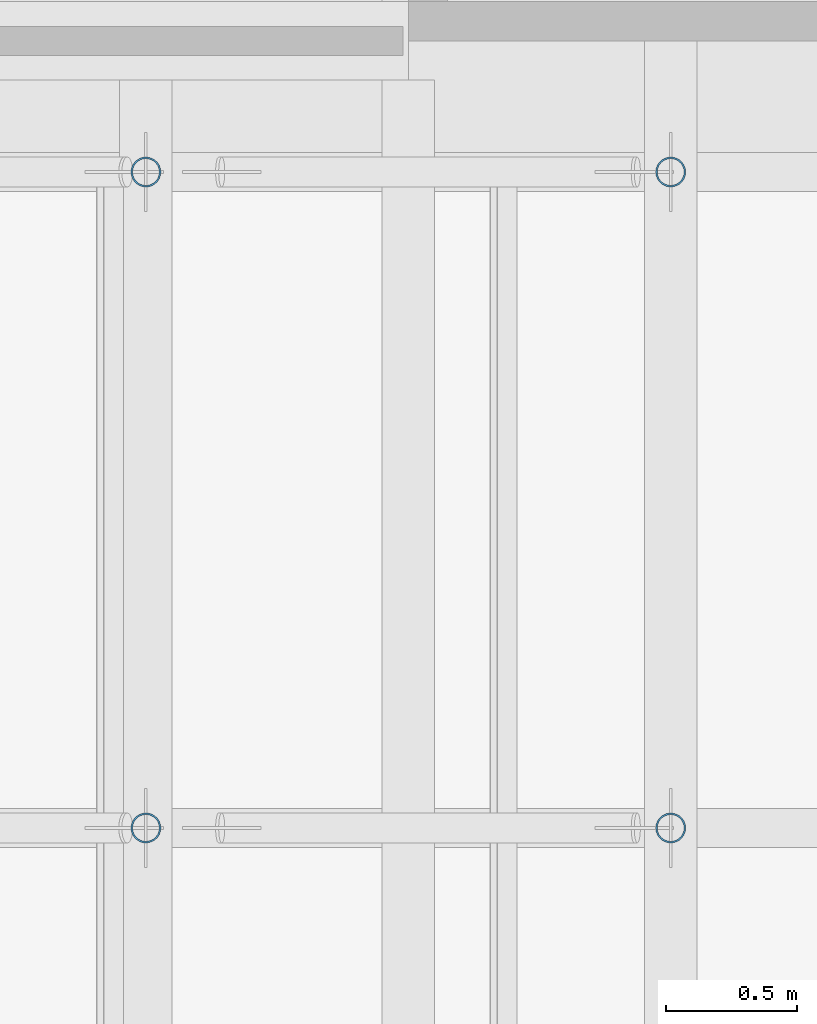
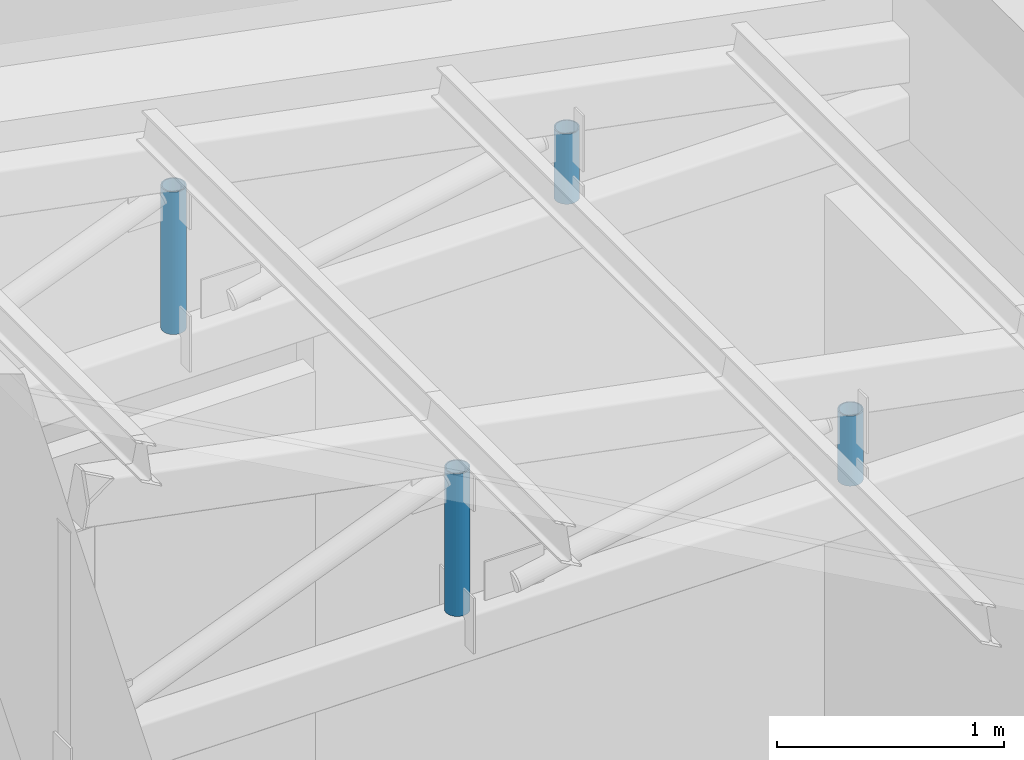
# One storey, part 57 of 118: 4 members.
"""IFC4 building model written with IfcOpenShell, lengths in metres."""

import ifcopenshell
import ifcopenshell.guid

model = None  # the IFC model being written
_history = None  # IfcOwnerHistory: only IFC2X3 demands one
_inside = {}  # id of a spatial element -> (the spatial element, [elements in it])
_under = {}  # id of a project, library or spatial element -> (it, [spatial elements below it])
_declared = {}  # id of a project -> (the project, [libraries it declares])
_typed = {}  # id of a type object -> (the type object, [elements of that type])
_made_of = {}  # id of a material, layer set ... -> (it, [elements and type objects made of it])


def new_model(schema):
    """Start an empty IFC model of exactly this schema.

    Asked for "IFC4X3", IfcOpenShell would pick the latest addendum, in which some entities
    have other attributes; the version numbers below select the first issue.
    IFC2X3 requires an IfcOwnerHistory on every rooted entity: one is made here for all.
    """
    global model, _history
    if schema == "IFC4X3":
        model = ifcopenshell.file(schema_version=(4, 3, 0, 0))
    else:
        model = ifcopenshell.file(schema=schema)
    _inside.clear()
    _under.clear()
    _declared.clear()
    _typed.clear()
    _made_of.clear()
    _history = None
    if model.schema == "IFC2X3":
        org = make("IfcOrganization", Name="unknown")
        user = make(
            "IfcPersonAndOrganization",
            ThePerson=make("IfcPerson", FamilyName="unknown"),
            TheOrganization=org,
        )
        app = make(
            "IfcApplication",
            ApplicationDeveloper=org,
            Version="unknown",
            ApplicationFullName="unknown",
            ApplicationIdentifier="unknown",
        )
        _history = make(
            "IfcOwnerHistory",
            OwningUser=user,
            OwningApplication=app,
            ChangeAction="ADDED",
            CreationDate=0,
        )
    return model


def make(cls, **values):
    """One entity of the class cls with the attributes given. An attribute that is None is left unset."""
    return model.create_entity(
        cls, **{name: value for name, value in values.items() if value is not None}
    )


def rooted(cls, **values):
    """An entity with a GlobalId (a new one), such as an element, a storey or a relation."""
    return make(cls, GlobalId=ifcopenshell.guid.new(), OwnerHistory=_history, **values)


def si_unit(unit_type, name, prefix=None):
    """IfcSIUnit, for example si_unit("LENGTHUNIT", "METRE", prefix="MILLI")."""
    return make("IfcSIUnit", UnitType=unit_type, Prefix=prefix, Name=name)


def assignment(units):
    """IfcUnitAssignment: the units of a project."""
    return None if units is None else make("IfcUnitAssignment", Units=units)


def point(xyz):
    """IfcCartesianPoint."""
    return None if xyz is None else make("IfcCartesianPoint", Coordinates=xyz)


def direction(xyz):
    """IfcDirection."""
    return None if xyz is None else make("IfcDirection", DirectionRatios=xyz)


def frame(location, z_axis=None, x_axis=None):
    """IfcAxis2Placement3D, a coordinate frame: its origin and axes. An axis left out is left unset."""
    return make(
        "IfcAxis2Placement3D",
        Location=point(location),
        Axis=direction(z_axis),
        RefDirection=direction(x_axis),
    )


def frame_2d(location, x_axis=None):
    """IfcAxis2Placement2D, a coordinate frame in the plane: its origin and x axis."""
    return make(
        "IfcAxis2Placement2D", Location=point(location), RefDirection=direction(x_axis)
    )


def origin():
    """The frame at (0, 0, 0) with its axes left unset."""
    return frame((0.0, 0.0, 0.0))


def origin_2d():
    """The frame at (0, 0) in the plane with its x axis left unset."""
    return frame_2d((0.0, 0.0))


def place(relative_to, where):
    """IfcLocalPlacement: puts the frame where relative to a parent placement (None: the world)."""
    return make(
        "IfcLocalPlacement", PlacementRelTo=relative_to, RelativePlacement=where
    )


def context(
    kind, dimensions, precision=None, world=None, true_north=None, identifier=None
):
    """IfcGeometricRepresentationContext, for example the 3D "Model" context."""
    return make(
        "IfcGeometricRepresentationContext",
        ContextIdentifier=identifier,
        ContextType=kind,
        CoordinateSpaceDimension=dimensions,
        Precision=precision,
        WorldCoordinateSystem=world,
        TrueNorth=true_north,
    )


def subcontext(parent, identifier, kind, view, scale=None):
    """IfcGeometricRepresentationSubContext, for example "Body" below "Model"."""
    return make(
        "IfcGeometricRepresentationSubContext",
        ContextIdentifier=identifier,
        ContextType=kind,
        ParentContext=parent,
        TargetScale=scale,
        TargetView=view,
    )


def project(units=None, contexts=None):
    """IfcProject with its units and contexts."""
    return rooted(
        "IfcProject",
        Name="project",
        RepresentationContexts=contexts,
        UnitsInContext=assignment(units),
    )


def spatial(cls, under=None, at=None, **own):
    """A site, building, storey or space (cls), placed at a placement, below another one or the project."""
    s = rooted(cls, ObjectPlacement=at, **own)
    if under is not None:
        _under.setdefault(under.id(), (under, []))[1].append(s)
    return s


def profile(cls, at=None, kind="AREA", **sizes):
    """A parametric profile (cls). Its sizes go by their IFC names, for example OverallWidth=200.0."""
    return make(cls, ProfileType=kind, Position=at, **sizes)


def hollow_circle(**sizes):
    """IfcCircleHollowProfileDef."""
    return profile("IfcCircleHollowProfileDef", **sizes)


def extrude(swept, where, along, depth):
    """IfcExtrudedAreaSolid: the profile swept, set in the frame where, extruded along a direction by depth."""
    return make(
        "IfcExtrudedAreaSolid",
        SweptArea=swept,
        Position=where,
        ExtrudedDirection=direction(along),
        Depth=depth,
    )


def shape(context_of_items, identifier, shape_type, items):
    """IfcShapeRepresentation: the items that make up one representation, for example the "Body"."""
    return make(
        "IfcShapeRepresentation",
        ContextOfItems=context_of_items,
        RepresentationIdentifier=identifier,
        RepresentationType=shape_type,
        Items=items,
    )


def material(Name=None, Category=None):
    """IfcMaterial."""
    return make("IfcMaterial", Name=Name, Category=Category)


def material_profile(
    of_material, cross_section, Name=None, Category=None, Priority=None
):
    """IfcMaterialProfile: a cross section and its material."""
    return make(
        "IfcMaterialProfile",
        Name=Name,
        Material=of_material,
        Profile=cross_section,
        Priority=Priority,
        Category=Category,
    )


def profile_set(profiles, Name=None, composite=None):
    """IfcMaterialProfileSet."""
    return make(
        "IfcMaterialProfileSet",
        Name=Name,
        MaterialProfiles=profiles,
        CompositeProfile=composite,
    )


def made_of(thing, what):
    """Note that an element or type object is made of a material, layer set ...; save() writes the relation."""
    if what is not None:
        _made_of.setdefault(what.id(), (what, []))[1].append(thing)
    return thing


def type_object(cls, material=None, **own):
    """A type object (cls), such as IfcWallType, which elements share."""
    return made_of(rooted(cls, **own), material)


def element(
    cls,
    number,
    at=None,
    inside=None,
    cuts=None,
    type_object=None,
    material=None,
    context=None,
    identifier="Body",
    shape_type=None,
    held_by="IfcProductDefinitionShape",
    body=None,
    shapes=None,
    **own,
):
    """One element of the class cls, such as IfcWall. Its Tag is "e" and its number.

    at: its placement. inside: the storey or other place that contains it. cuts: it is an
    opening in that element (IfcRelVoidsElement). A single representation is given by context,
    identifier, shape_type and body (its items); several are given by shapes. held_by: the class
    of the entity that holds the representations. save() writes the other relations.
    """
    e = rooted(cls, Tag="e%d" % number, ObjectPlacement=at, **own)
    if body is not None:
        shapes = [shape(context, identifier, shape_type, body)]
    if shapes is not None:
        e.Representation = make(held_by, Representations=shapes)
    if inside is not None:
        _inside.setdefault(inside.id(), (inside, []))[1].append(e)
    if cuts is not None:
        rooted(
            "IfcRelVoidsElement", RelatingBuildingElement=cuts, RelatedOpeningElement=e
        )
    if type_object is not None:
        _typed.setdefault(type_object.id(), (type_object, []))[1].append(e)
    return made_of(e, material)


def aggregate(whole, parts):
    """IfcRelAggregates: a whole, such as a stair, and the parts it consists of."""
    return rooted("IfcRelAggregates", RelatingObject=whole, RelatedObjects=parts)


def save(model, path):
    """Write the relations noted so far, then the file.

    IfcRelAggregates (storeys below a building ...), IfcRelContainedInSpatialStructure (elements
    in a storey), IfcRelDefinesByType, IfcRelAssociatesMaterial and IfcRelDeclares: one each for
    every whole, place, type object, material and project.
    """
    for whole, parts in _under.values():
        aggregate(whole, parts)
    for where, things in _inside.values():
        rooted(
            "IfcRelContainedInSpatialStructure",
            RelatedElements=things,
            RelatingStructure=where,
        )
    for kind, things in _typed.values():
        rooted("IfcRelDefinesByType", RelatedObjects=things, RelatingType=kind)
    for what, things in _made_of.values():
        rooted("IfcRelAssociatesMaterial", RelatedObjects=things, RelatingMaterial=what)
    for by, libraries in _declared.values():
        rooted("IfcRelDeclares", RelatingContext=by, RelatedDefinitions=libraries)
    model.write(path)


model = new_model("IFC4")

# Units and contexts
model_context = context("Model", 3, precision=1e-05, world=origin(), true_north=direction((0.0, 1.0)))
body_context = subcontext(model_context, "Body", "Model", "MODEL_VIEW")
ifc_project = project(units=[si_unit("LENGTHUNIT", "METRE"), si_unit("AREAUNIT", "SQUARE_METRE"), si_unit("VOLUMEUNIT", "CUBIC_METRE"), si_unit("PLANEANGLEUNIT", "RADIAN"), si_unit("MASSUNIT", "GRAM", prefix="KILO")], contexts=[model_context])

# Site, building, storey
site_placement = place(None, origin())
site = spatial("IfcSite", under=ifc_project, at=site_placement, CompositionType="ELEMENT")
building_placement = place(site_placement, origin())
building = spatial("IfcBuilding", under=site, at=building_placement, Name="Saffron Lane Theatres", CompositionType="ELEMENT")
storey_placement = place(building_placement, frame((0.0, 0.0, 16.5)))
storey = spatial("IfcBuildingStorey", under=building, at=storey_placement, Name="L03", CompositionType="ELEMENT", Elevation=16.5)

# Members
ifc_material = material(Name="Steel Grade 350", Category="steel")
ifc_material_profile = material_profile(ifc_material, hollow_circle(Radius=0.05712890625, WallThickness=0.006103515625, at=origin_2d()))
ifc_profile_set = profile_set([ifc_material_profile], Name="Steel Grade 350")
member_type = type_object("IfcMemberType", Name="ST-STUDIO TRUSS WEB 114.3x6.0 CHS", PredefinedType="BRACE", material=ifc_profile_set)
member_1_placement = place(storey_placement, frame((52.0, 51.0, 4.75), z_axis=(0.0, 0.0, 1.0), x_axis=(1.0, 0.0, 0.0)))
element("IfcMember", 1, at=member_1_placement, inside=storey, type_object=member_type, Name="SB4-W32", PredefinedType="BRACE", context=body_context, shape_type="SweptSolid", body=[
    extrude(hollow_circle(Radius=0.05712890625, WallThickness=0.006103515625, at=origin_2d()), origin(), (0.0, 0.0, 1.0), 0.377197265625),
])
member_2_placement = place(storey_placement, frame((50.0, 51.0, 4.75), z_axis=(0.0, 0.0, 1.0), x_axis=(1.0, 0.0, 0.0)))
element("IfcMember", 2, at=member_2_placement, inside=storey, type_object=member_type, Name="SB4-W33", PredefinedType="BRACE", context=body_context, shape_type="SweptSolid", body=[
    extrude(hollow_circle(Radius=0.05712890625, WallThickness=0.006103515625, at=origin_2d()), origin(), (0.0, 0.0, 1.0), 0.765625),
])
member_3_placement = place(storey_placement, frame((52.0, 53.5, 4.75), z_axis=(0.0, 0.0, 1.0), x_axis=(1.0, 0.0, 0.0)))
element("IfcMember", 3, at=member_3_placement, inside=storey, type_object=member_type, Name="SB4-W39", PredefinedType="BRACE", context=body_context, shape_type="SweptSolid", body=[
    extrude(hollow_circle(Radius=0.05712890625, WallThickness=0.006103515625, at=origin_2d()), origin(), (0.0, 0.0, 1.0), 0.377197265625),
])
member_4_placement = place(storey_placement, frame((50.0, 53.5, 4.75), z_axis=(0.0, 0.0, 1.0), x_axis=(1.0, 0.0, 0.0)))
element("IfcMember", 4, at=member_4_placement, inside=storey, type_object=member_type, Name="SB4-W40", PredefinedType="BRACE", context=body_context, shape_type="SweptSolid", body=[
    extrude(hollow_circle(Radius=0.05712890625, WallThickness=0.006103515625, at=origin_2d()), origin(), (0.0, 0.0, 1.0), 0.765625),
])

save(model, "model.ifc")
